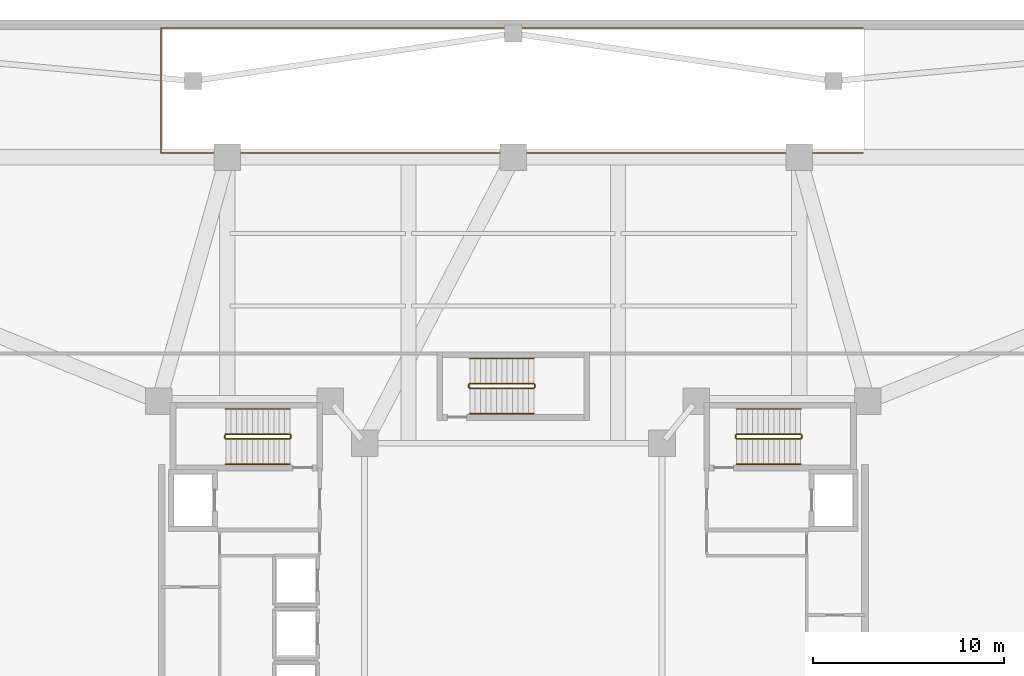
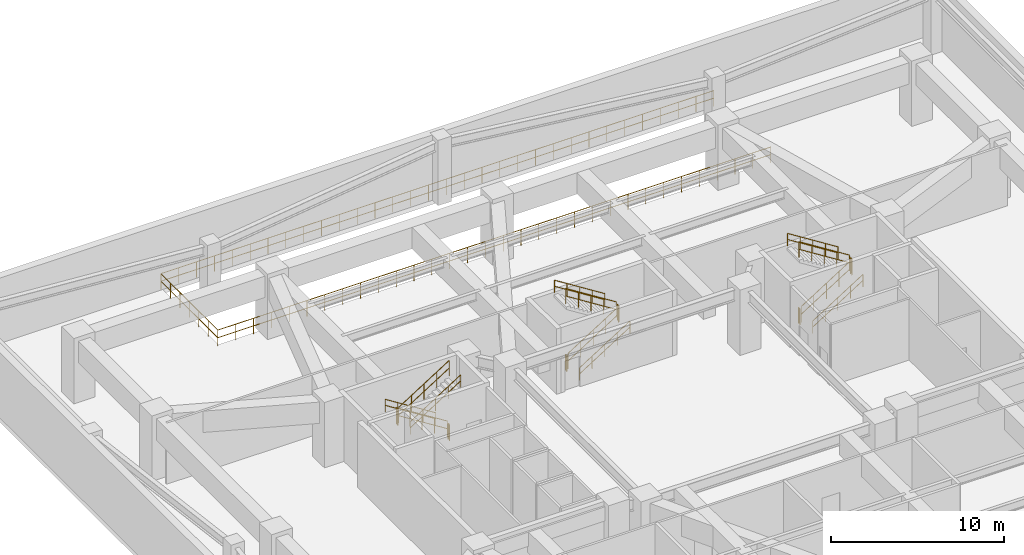
# One storey, part 8 of 8: 19 railings.
"""IFC4 building model written with IfcOpenShell, lengths in metres."""

from ifc_helpers import new_model, si_unit, direction, frame, origin, origin_2d, place, context, subcontext, project, spatial, circle, extrude, material, type_object, element, save


model = new_model("IFC4")

# Units and contexts
model_context = context("Model", 3, precision=1e-05, world=origin(), true_north=direction((0.0, 1.0)))
body_context = subcontext(model_context, "Body", "Model", "MODEL_VIEW")
ifc_project = project(units=[si_unit("LENGTHUNIT", "METRE"), si_unit("AREAUNIT", "SQUARE_METRE"), si_unit("VOLUMEUNIT", "CUBIC_METRE"), si_unit("PLANEANGLEUNIT", "RADIAN"), si_unit("MASSUNIT", "GRAM", prefix="KILO")], contexts=[model_context])

# Site, building, storey
site_placement = place(None, origin())
site = spatial("IfcSite", under=ifc_project, at=site_placement, CompositionType="ELEMENT")
building_placement = place(site_placement, origin())
building = spatial("IfcBuilding", under=site, at=building_placement, Name="Tarnavaz Court Tower", CompositionType="ELEMENT")
storey_placement = place(building_placement, frame((0.0, 0.0, -4.60009765625)))
storey = spatial("IfcBuildingStorey", under=building, at=storey_placement, Name="B01", CompositionType="ELEMENT", Elevation=-4.60009765625)

# Railings
ifc_material_1 = material(Name="Galvanized Powder-Coated Steel Guardrail", Category="steel")
railing_type_1 = type_object("IfcRailingType", Name="RL-DECK-1120", PredefinedType="GUARDRAIL", material=ifc_material_1)
railing_1_placement = place(storey_placement, frame((18.35009765625, 23.02001953125, 0.0)))
element("IfcRailing", 1, at=railing_1_placement, inside=storey, type_object=railing_type_1, Name="B01 Car Park Ramp Opening Safety Guardrail", PredefinedType="GUARDRAIL", context=body_context, shape_type="SweptSolid", body=[
    extrude(circle(Radius=0.02392578125, at=origin_2d()), frame((0.0, 0.0, 1.09619140625), z_axis=(-1.0, 0.0, 0.0), x_axis=(0.0, -1.0, 0.0)), (0.0, 0.0, 1.0), 36.830078125),
    extrude(circle(Radius=0.02392578125, at=origin_2d()), frame((0.0, 0.0, 0.56005859375), z_axis=(-1.0, 0.0, 0.0), x_axis=(0.0, -1.0, 0.0)), (0.0, 0.0, 1.0), 36.830078125),
    extrude(circle(Radius=0.02392578125, at=origin_2d()), frame((-36.830078125, 0.0, 1.09619140625), z_axis=(0.0, 1.0, 0.0), x_axis=(-1.0, 0.0, 0.0)), (0.0, 0.0, 1.0), 6.56005859375),
    extrude(circle(Radius=0.02392578125, at=origin_2d()), frame((-36.830078125, 0.0, 0.56005859375), z_axis=(0.0, 1.0, 0.0), x_axis=(-1.0, 0.0, 0.0)), (0.0, 0.0, 1.0), 6.56005859375),
    extrude(circle(Radius=0.02392578125, at=origin_2d()), frame((-36.830078125, 6.56005859375, 1.09619140625), z_axis=(1.0, 0.0, 0.0), x_axis=(0.0, 1.0, 0.0)), (0.0, 0.0, 1.0), 36.830078125),
    extrude(circle(Radius=0.02392578125, at=origin_2d()), frame((-36.830078125, 6.56005859375, 0.56005859375), z_axis=(1.0, 0.0, 0.0), x_axis=(0.0, 1.0, 0.0)), (0.0, 0.0, 1.0), 36.830078125),
    extrude(circle(Radius=0.02099609375, at=origin_2d()), origin(), (0.0, 0.0, 1.0), 1.072021484375),
    extrude(circle(Radius=0.02099609375, at=origin_2d()), frame((-1.18798828125, 0.0, 0.0)), (0.0, 0.0, 1.0), 1.072021484375),
    extrude(circle(Radius=0.02099609375, at=origin_2d()), frame((-2.376220703125, 0.0, 0.0)), (0.0, 0.0, 1.0), 1.072021484375),
    extrude(circle(Radius=0.02099609375, at=origin_2d()), frame((-3.564208984375, 0.0, 0.0)), (0.0, 0.0, 1.0), 1.072021484375),
    extrude(circle(Radius=0.02099609375, at=origin_2d()), frame((-4.752197265625, 0.0, 0.0)), (0.0, 0.0, 1.0), 1.072021484375),
    extrude(circle(Radius=0.02099609375, at=origin_2d()), frame((-5.9404296875, 0.0, 0.0)), (0.0, 0.0, 1.0), 1.072021484375),
    extrude(circle(Radius=0.02099609375, at=origin_2d()), frame((-7.12841796875, 0.0, 0.0)), (0.0, 0.0, 1.0), 1.072021484375),
    extrude(circle(Radius=0.02099609375, at=origin_2d()), frame((-8.31640625, 0.0, 0.0)), (0.0, 0.0, 1.0), 1.072021484375),
    extrude(circle(Radius=0.02099609375, at=origin_2d()), frame((-9.504638671875, 0.0, 0.0)), (0.0, 0.0, 1.0), 1.072021484375),
    extrude(circle(Radius=0.02099609375, at=origin_2d()), frame((-10.692626953125, 0.0, 0.0)), (0.0, 0.0, 1.0), 1.072021484375),
    extrude(circle(Radius=0.02099609375, at=origin_2d()), frame((-11.880615234375, 0.0, 0.0)), (0.0, 0.0, 1.0), 1.072021484375),
    extrude(circle(Radius=0.02099609375, at=origin_2d()), frame((-13.06884765625, 0.0, 0.0)), (0.0, 0.0, 1.0), 1.072021484375),
    extrude(circle(Radius=0.02099609375, at=origin_2d()), frame((-14.2568359375, 0.0, 0.0)), (0.0, 0.0, 1.0), 1.072021484375),
    extrude(circle(Radius=0.02099609375, at=origin_2d()), frame((-15.44482421875, 0.0, 0.0)), (0.0, 0.0, 1.0), 1.072021484375),
    extrude(circle(Radius=0.02099609375, at=origin_2d()), frame((-16.633056640625, 0.0, 0.0)), (0.0, 0.0, 1.0), 1.072021484375),
    extrude(circle(Radius=0.02099609375, at=origin_2d()), frame((-17.821044921875, 0.0, 0.0)), (0.0, 0.0, 1.0), 1.072021484375),
    extrude(circle(Radius=0.02099609375, at=origin_2d()), frame((-19.009033203125, 0.0, 0.0)), (0.0, 0.0, 1.0), 1.072021484375),
    extrude(circle(Radius=0.02099609375, at=origin_2d()), frame((-20.197021484375, 0.0, 0.0)), (0.0, 0.0, 1.0), 1.072021484375),
    extrude(circle(Radius=0.02099609375, at=origin_2d()), frame((-21.38525390625, 0.0, 0.0)), (0.0, 0.0, 1.0), 1.072021484375),
    extrude(circle(Radius=0.02099609375, at=origin_2d()), frame((-22.5732421875, 0.0, 0.0)), (0.0, 0.0, 1.0), 1.072021484375),
    extrude(circle(Radius=0.02099609375, at=origin_2d()), frame((-23.76123046875, 0.0, 0.0)), (0.0, 0.0, 1.0), 1.072021484375),
    extrude(circle(Radius=0.02099609375, at=origin_2d()), frame((-24.949462890625, 0.0, 0.0)), (0.0, 0.0, 1.0), 1.072021484375),
    extrude(circle(Radius=0.02099609375, at=origin_2d()), frame((-26.137451171875, 0.0, 0.0)), (0.0, 0.0, 1.0), 1.072021484375),
    extrude(circle(Radius=0.02099609375, at=origin_2d()), frame((-27.325439453125, 0.0, 0.0)), (0.0, 0.0, 1.0), 1.072021484375),
    extrude(circle(Radius=0.02099609375, at=origin_2d()), frame((-28.513671875, 0.0, 0.0)), (0.0, 0.0, 1.0), 1.072021484375),
    extrude(circle(Radius=0.02099609375, at=origin_2d()), frame((-29.70166015625, 0.0, 0.0)), (0.0, 0.0, 1.0), 1.072021484375),
    extrude(circle(Radius=0.02099609375, at=origin_2d()), frame((-30.8896484375, 0.0, 0.0)), (0.0, 0.0, 1.0), 1.072021484375),
    extrude(circle(Radius=0.02099609375, at=origin_2d()), frame((-32.077880859375, 0.0, 0.0)), (0.0, 0.0, 1.0), 1.072021484375),
    extrude(circle(Radius=0.02099609375, at=origin_2d()), frame((-33.265869140625, 0.0, 0.0)), (0.0, 0.0, 1.0), 1.072021484375),
    extrude(circle(Radius=0.02099609375, at=origin_2d()), frame((-34.453857421875, 0.0, 0.0)), (0.0, 0.0, 1.0), 1.072021484375),
    extrude(circle(Radius=0.02099609375, at=origin_2d()), frame((-35.64208984375, 0.0, 0.0)), (0.0, 0.0, 1.0), 1.072021484375),
    extrude(circle(Radius=0.02099609375, at=origin_2d()), frame((-36.830078125, 0.0, 0.0)), (0.0, 0.0, 1.0), 1.072021484375),
    extrude(circle(Radius=0.02099609375, at=origin_2d()), frame((-36.830078125, 1.09326171875, 0.0)), (0.0, 0.0, 1.0), 1.072021484375),
    extrude(circle(Radius=0.02099609375, at=origin_2d()), frame((-36.830078125, 2.186767578125, 0.0)), (0.0, 0.0, 1.0), 1.072021484375),
    extrude(circle(Radius=0.02099609375, at=origin_2d()), frame((-36.830078125, 3.280029296875, 0.0)), (0.0, 0.0, 1.0), 1.072021484375),
    extrude(circle(Radius=0.02099609375, at=origin_2d()), frame((-36.830078125, 4.373291015625, 0.0)), (0.0, 0.0, 1.0), 1.072021484375),
    extrude(circle(Radius=0.02099609375, at=origin_2d()), frame((-36.830078125, 5.466796875, 0.0)), (0.0, 0.0, 1.0), 1.072021484375),
    extrude(circle(Radius=0.02099609375, at=origin_2d()), frame((-36.830078125, 6.56005859375, 0.0)), (0.0, 0.0, 1.0), 1.072021484375),
    extrude(circle(Radius=0.02099609375, at=origin_2d()), frame((-35.64208984375, 6.56005859375, 0.0)), (0.0, 0.0, 1.0), 1.072021484375),
    extrude(circle(Radius=0.02099609375, at=origin_2d()), frame((-34.453857421875, 6.56005859375, 0.0)), (0.0, 0.0, 1.0), 1.072021484375),
    extrude(circle(Radius=0.02099609375, at=origin_2d()), frame((-33.265869140625, 6.56005859375, 0.0)), (0.0, 0.0, 1.0), 1.072021484375),
    extrude(circle(Radius=0.02099609375, at=origin_2d()), frame((-32.077880859375, 6.56005859375, 0.0)), (0.0, 0.0, 1.0), 1.072021484375),
    extrude(circle(Radius=0.02099609375, at=origin_2d()), frame((-30.8896484375, 6.56005859375, 0.0)), (0.0, 0.0, 1.0), 1.072021484375),
    extrude(circle(Radius=0.02099609375, at=origin_2d()), frame((-29.70166015625, 6.56005859375, 0.0)), (0.0, 0.0, 1.0), 1.072021484375),
    extrude(circle(Radius=0.02099609375, at=origin_2d()), frame((-28.513671875, 6.56005859375, 0.0)), (0.0, 0.0, 1.0), 1.072021484375),
    extrude(circle(Radius=0.02099609375, at=origin_2d()), frame((-27.325439453125, 6.56005859375, 0.0)), (0.0, 0.0, 1.0), 1.072021484375),
    extrude(circle(Radius=0.02099609375, at=origin_2d()), frame((-26.137451171875, 6.56005859375, 0.0)), (0.0, 0.0, 1.0), 1.072021484375),
    extrude(circle(Radius=0.02099609375, at=origin_2d()), frame((-24.949462890625, 6.56005859375, 0.0)), (0.0, 0.0, 1.0), 1.072021484375),
    extrude(circle(Radius=0.02099609375, at=origin_2d()), frame((-23.76123046875, 6.56005859375, 0.0)), (0.0, 0.0, 1.0), 1.072021484375),
    extrude(circle(Radius=0.02099609375, at=origin_2d()), frame((-22.5732421875, 6.56005859375, 0.0)), (0.0, 0.0, 1.0), 1.072021484375),
    extrude(circle(Radius=0.02099609375, at=origin_2d()), frame((-21.38525390625, 6.56005859375, 0.0)), (0.0, 0.0, 1.0), 1.072021484375),
    extrude(circle(Radius=0.02099609375, at=origin_2d()), frame((-20.197021484375, 6.56005859375, 0.0)), (0.0, 0.0, 1.0), 1.072021484375),
    extrude(circle(Radius=0.02099609375, at=origin_2d()), frame((-19.009033203125, 6.56005859375, 0.0)), (0.0, 0.0, 1.0), 1.072021484375),
    extrude(circle(Radius=0.02099609375, at=origin_2d()), frame((-17.821044921875, 6.56005859375, 0.0)), (0.0, 0.0, 1.0), 1.072021484375),
    extrude(circle(Radius=0.02099609375, at=origin_2d()), frame((-16.633056640625, 6.56005859375, 0.0)), (0.0, 0.0, 1.0), 1.072021484375),
    extrude(circle(Radius=0.02099609375, at=origin_2d()), frame((-15.44482421875, 6.56005859375, 0.0)), (0.0, 0.0, 1.0), 1.072021484375),
    extrude(circle(Radius=0.02099609375, at=origin_2d()), frame((-14.2568359375, 6.56005859375, 0.0)), (0.0, 0.0, 1.0), 1.072021484375),
    extrude(circle(Radius=0.02099609375, at=origin_2d()), frame((-13.06884765625, 6.56005859375, 0.0)), (0.0, 0.0, 1.0), 1.072021484375),
    extrude(circle(Radius=0.02099609375, at=origin_2d()), frame((-11.880615234375, 6.56005859375, 0.0)), (0.0, 0.0, 1.0), 1.072021484375),
    extrude(circle(Radius=0.02099609375, at=origin_2d()), frame((-10.692626953125, 6.56005859375, 0.0)), (0.0, 0.0, 1.0), 1.072021484375),
    extrude(circle(Radius=0.02099609375, at=origin_2d()), frame((-9.504638671875, 6.56005859375, 0.0)), (0.0, 0.0, 1.0), 1.072021484375),
    extrude(circle(Radius=0.02099609375, at=origin_2d()), frame((-8.31640625, 6.56005859375, 0.0)), (0.0, 0.0, 1.0), 1.072021484375),
    extrude(circle(Radius=0.02099609375, at=origin_2d()), frame((-7.12841796875, 6.56005859375, 0.0)), (0.0, 0.0, 1.0), 1.072021484375),
    extrude(circle(Radius=0.02099609375, at=origin_2d()), frame((-5.9404296875, 6.56005859375, 0.0)), (0.0, 0.0, 1.0), 1.072021484375),
    extrude(circle(Radius=0.02099609375, at=origin_2d()), frame((-4.752197265625, 6.56005859375, 0.0)), (0.0, 0.0, 1.0), 1.072021484375),
    extrude(circle(Radius=0.02099609375, at=origin_2d()), frame((-3.564208984375, 6.56005859375, 0.0)), (0.0, 0.0, 1.0), 1.072021484375),
    extrude(circle(Radius=0.02099609375, at=origin_2d()), frame((-2.376220703125, 6.56005859375, 0.0)), (0.0, 0.0, 1.0), 1.072021484375),
    extrude(circle(Radius=0.02099609375, at=origin_2d()), frame((-1.18798828125, 6.56005859375, 0.0)), (0.0, 0.0, 1.0), 1.072021484375),
    extrude(circle(Radius=0.02099609375, at=origin_2d()), frame((0.0, 6.56005859375, 0.0)), (0.0, 0.0, 1.0), 1.072021484375),
])
ifc_material_2 = material(Name="Brushed Stainless Steel", Category="steel")
railing_type_2 = type_object("IfcRailingType", Name="RL-HANDRAIL-900", PredefinedType="HANDRAIL", material=ifc_material_2)
railing_2_placement = place(storey_placement, frame((-11.719970703125, 9.590087890625, 0.177001953125)))
element("IfcRailing", 2, at=railing_2_placement, inside=storey, type_object=railing_type_2, Name="B01 ST-W1 stair handrail 1", PredefinedType="HANDRAIL", context=body_context, shape_type="SweptSolid", body=[
    extrude(circle(Radius=0.02392578125, at=origin_2d()), frame((0.0, 0.0, 0.8759765625), z_axis=(-0.845389635667, 0.0, 0.534150132366), x_axis=(0.0, -1.0, 0.0)), (0.0, 0.0, 1.0), 3.974609375),
    extrude(circle(Radius=0.02392578125, at=origin_2d()), frame((0.0, 0.0, 0.449951171875), z_axis=(-0.845389635667, 0.0, 0.534150132366), x_axis=(0.0, -1.0, 0.0)), (0.0, 0.0, 1.0), 3.974609375),
    extrude(circle(Radius=0.02099609375, at=origin_2d()), origin(), (0.0, 0.0, 1.0), 0.851806640625),
    extrude(circle(Radius=0.02099609375, at=origin_2d()), frame((-0.840087890625, 0.0, 0.53076171875)), (0.0, 0.0, 1.0), 0.851806640625),
    extrude(circle(Radius=0.02099609375, at=origin_2d()), frame((-1.68017578125, 0.0, 1.0615234375)), (0.0, 0.0, 1.0), 0.851806640625),
    extrude(circle(Radius=0.02099609375, at=origin_2d()), frame((-2.52001953125, 0.0, 1.59228515625)), (0.0, 0.0, 1.0), 0.851806640625),
    extrude(circle(Radius=0.02099609375, at=origin_2d()), frame((-3.360107421875, 0.0, 2.123046875)), (0.0, 0.0, 1.0), 0.851806640625),
])
for number, where, name in (
    (3, (-15.080078125, 6.699951171875, 2.47705078125), "B01 ST-W1 stair handrail 2"),
    (4, (11.719970703125, 6.699951171875, 0.177001953125), "B01 ST-E1 stair handrail 1"),
):
    element("IfcRailing", number, at=place(storey_placement, frame(where)), inside=storey, type_object=railing_type_2, Name=name, PredefinedType="HANDRAIL", context=body_context, shape_type="SweptSolid", body=[
        extrude(circle(Radius=0.02392578125, at=origin_2d()), frame((0.0, 0.0, 0.8759765625), z_axis=(0.845389635667, 0.0, 0.534150132366), x_axis=(0.0, 1.0, 0.0)), (0.0, 0.0, 1.0), 3.974609375),
        extrude(circle(Radius=0.02392578125, at=origin_2d()), frame((0.0, 0.0, 0.449951171875), z_axis=(0.845389635667, 0.0, 0.534150132366), x_axis=(0.0, 1.0, 0.0)), (0.0, 0.0, 1.0), 3.974609375),
        extrude(circle(Radius=0.02099609375, at=origin_2d()), origin(), (0.0, 0.0, 1.0), 0.851806640625),
        extrude(circle(Radius=0.02099609375, at=origin_2d()), frame((0.840087890625, 0.0, 0.53076171875)), (0.0, 0.0, 1.0), 0.851806640625),
        extrude(circle(Radius=0.02099609375, at=origin_2d()), frame((1.68017578125, 0.0, 1.0615234375)), (0.0, 0.0, 1.0), 0.851806640625),
        extrude(circle(Radius=0.02099609375, at=origin_2d()), frame((2.52001953125, 0.0, 1.59228515625)), (0.0, 0.0, 1.0), 0.851806640625),
        extrude(circle(Radius=0.02099609375, at=origin_2d()), frame((3.360107421875, 0.0, 2.123046875)), (0.0, 0.0, 1.0), 0.851806640625),
    ])
railing_3_placement = place(storey_placement, frame((15.080078125, 9.590087890625, 2.47705078125)))
element("IfcRailing", 5, at=railing_3_placement, inside=storey, type_object=railing_type_2, Name="B01 ST-E1 stair handrail 2", PredefinedType="HANDRAIL", context=body_context, shape_type="SweptSolid", body=[
    extrude(circle(Radius=0.02392578125, at=origin_2d()), frame((0.0, 0.0, 0.8759765625), z_axis=(-0.845389635667, 0.0, 0.534150132366), x_axis=(0.0, -1.0, 0.0)), (0.0, 0.0, 1.0), 3.974609375),
    extrude(circle(Radius=0.02392578125, at=origin_2d()), frame((0.0, 0.0, 0.449951171875), z_axis=(-0.845389635667, 0.0, 0.534150132366), x_axis=(0.0, -1.0, 0.0)), (0.0, 0.0, 1.0), 3.974609375),
    extrude(circle(Radius=0.02099609375, at=origin_2d()), origin(), (0.0, 0.0, 1.0), 0.851806640625),
    extrude(circle(Radius=0.02099609375, at=origin_2d()), frame((-0.840087890625, 0.0, 0.53076171875)), (0.0, 0.0, 1.0), 0.851806640625),
    extrude(circle(Radius=0.02099609375, at=origin_2d()), frame((-1.68017578125, 0.0, 1.0615234375)), (0.0, 0.0, 1.0), 0.851806640625),
    extrude(circle(Radius=0.02099609375, at=origin_2d()), frame((-2.52001953125, 0.0, 1.59228515625)), (0.0, 0.0, 1.0), 0.851806640625),
    extrude(circle(Radius=0.02099609375, at=origin_2d()), frame((-3.360107421875, 0.0, 2.123046875)), (0.0, 0.0, 1.0), 0.851806640625),
])
railing_4_placement = place(storey_placement, frame((-2.280029296875, 9.35009765625, 0.177001953125)))
element("IfcRailing", 6, at=railing_4_placement, inside=storey, type_object=railing_type_2, Name="B01 ST-N1 stair handrail 1", PredefinedType="HANDRAIL", context=body_context, shape_type="SweptSolid", body=[
    extrude(circle(Radius=0.02392578125, at=origin_2d()), frame((0.0, 0.0, 0.8759765625), z_axis=(0.845389635667, 0.0, 0.534150132366), x_axis=(0.0, 1.0, 0.0)), (0.0, 0.0, 1.0), 3.974609375),
    extrude(circle(Radius=0.02392578125, at=origin_2d()), frame((0.0, 0.0, 0.449951171875), z_axis=(0.845389635667, 0.0, 0.534150132366), x_axis=(0.0, 1.0, 0.0)), (0.0, 0.0, 1.0), 3.974609375),
    extrude(circle(Radius=0.02099609375, at=origin_2d()), origin(), (0.0, 0.0, 1.0), 0.851806640625),
    extrude(circle(Radius=0.02099609375, at=origin_2d()), frame((0.840087890625, 0.0, 0.53076171875)), (0.0, 0.0, 1.0), 0.851806640625),
    extrude(circle(Radius=0.02099609375, at=origin_2d()), frame((1.68017578125, 0.0, 1.0615234375)), (0.0, 0.0, 1.0), 0.851806640625),
    extrude(circle(Radius=0.02099609375, at=origin_2d()), frame((2.52001953125, 0.0, 1.59228515625)), (0.0, 0.0, 1.0), 0.851806640625),
    extrude(circle(Radius=0.02099609375, at=origin_2d()), frame((3.360107421875, 0.0, 2.123046875)), (0.0, 0.0, 1.0), 0.851806640625),
])
railing_5_placement = place(storey_placement, frame((1.080078125, 12.239990234375, 2.47705078125)))
element("IfcRailing", 7, at=railing_5_placement, inside=storey, type_object=railing_type_2, Name="B01 ST-N1 stair handrail 2", PredefinedType="HANDRAIL", context=body_context, shape_type="SweptSolid", body=[
    extrude(circle(Radius=0.02392578125, at=origin_2d()), frame((0.0, 0.0, 0.8759765625), z_axis=(-0.845389635667, 0.0, 0.534150132366), x_axis=(0.0, -1.0, 0.0)), (0.0, 0.0, 1.0), 3.974609375),
    extrude(circle(Radius=0.02392578125, at=origin_2d()), frame((0.0, 0.0, 0.449951171875), z_axis=(-0.845389635667, 0.0, 0.534150132366), x_axis=(0.0, -1.0, 0.0)), (0.0, 0.0, 1.0), 3.974609375),
    extrude(circle(Radius=0.02099609375, at=origin_2d()), origin(), (0.0, 0.0, 1.0), 0.851806640625),
    extrude(circle(Radius=0.02099609375, at=origin_2d()), frame((-0.840087890625, 0.0, 0.53076171875)), (0.0, 0.0, 1.0), 0.851806640625),
    extrude(circle(Radius=0.02099609375, at=origin_2d()), frame((-1.68017578125, 0.0, 1.0615234375)), (0.0, 0.0, 1.0), 0.851806640625),
    extrude(circle(Radius=0.02099609375, at=origin_2d()), frame((-2.52001953125, 0.0, 1.59228515625)), (0.0, 0.0, 1.0), 0.851806640625),
    extrude(circle(Radius=0.02099609375, at=origin_2d()), frame((-3.360107421875, 0.0, 2.123046875)), (0.0, 0.0, 1.0), 0.851806640625),
])
ifc_material_3 = material(Name="Galvanized Painted Tubular Steel", Category="steel")
railing_type_3 = type_object("IfcRailingType", Name="RL-STGUARD-1120", PredefinedType="GUARDRAIL", material=ifc_material_3)
railing_6_placement = place(storey_placement, frame((-11.719970703125, 8.27001953125, 0.177001953125)))
element("IfcRailing", 8, at=railing_6_placement, inside=storey, type_object=railing_type_3, Name="B01 ST-W1 stair guard 1", PredefinedType="GUARDRAIL", context=body_context, shape_type="SweptSolid", body=[
    extrude(circle(Radius=0.02392578125, at=origin_2d()), frame((0.0, 0.0, 1.09619140625), z_axis=(-0.845389635667, 0.0, 0.534150132366), x_axis=(0.0, -1.0, 0.0)), (0.0, 0.0, 1.0), 3.974609375),
    extrude(circle(Radius=0.02392578125, at=origin_2d()), frame((0.0, 0.0, 0.56005859375), z_axis=(-0.845389635667, 0.0, 0.534150132366), x_axis=(0.0, -1.0, 0.0)), (0.0, 0.0, 1.0), 3.974609375),
    extrude(circle(Radius=0.02099609375, at=origin_2d()), origin(), (0.0, 0.0, 1.0), 1.072021484375),
    extrude(circle(Radius=0.02099609375, at=origin_2d()), frame((-0.840087890625, 0.0, 0.53076171875)), (0.0, 0.0, 1.0), 1.072021484375),
    extrude(circle(Radius=0.02099609375, at=origin_2d()), frame((-1.68017578125, 0.0, 1.0615234375)), (0.0, 0.0, 1.0), 1.072021484375),
    extrude(circle(Radius=0.02099609375, at=origin_2d()), frame((-2.52001953125, 0.0, 1.59228515625)), (0.0, 0.0, 1.0), 1.072021484375),
    extrude(circle(Radius=0.02099609375, at=origin_2d()), frame((-3.360107421875, 0.0, 2.123046875)), (0.0, 0.0, 1.0), 1.072021484375),
])
railing_7_placement = place(storey_placement, frame((-15.1298828125, 8.219970703125, 2.300048828125)))
element("IfcRailing", 9, at=railing_7_placement, inside=storey, type_object=railing_type_3, Name="B01 ST-W1 stair guard 2", PredefinedType="GUARDRAIL", context=body_context, shape_type="SweptSolid", body=[
    extrude(circle(Radius=0.02392578125, at=origin_2d()), frame((0.0, 0.0, 1.09619140625), z_axis=(0.0, -1.0, 0.0), x_axis=(1.0, 0.0, 0.0)), (0.0, 0.0, 1.0), 0.14990234375),
    extrude(circle(Radius=0.02392578125, at=origin_2d()), frame((0.0, 0.0, 0.56005859375), z_axis=(0.0, -1.0, 0.0), x_axis=(1.0, 0.0, 0.0)), (0.0, 0.0, 1.0), 0.14990234375),
    extrude(circle(Radius=0.02099609375, at=origin_2d()), origin(), (0.0, 0.0, 1.0), 1.072021484375),
    extrude(circle(Radius=0.02099609375, at=origin_2d()), frame((0.0, -0.14990234375, 0.0)), (0.0, 0.0, 1.0), 1.072021484375),
])
railing_8_placement = place(storey_placement, frame((-15.080078125, 8.02001953125, 2.47705078125)))
element("IfcRailing", 10, at=railing_8_placement, inside=storey, type_object=railing_type_3, Name="B01 ST-W1 stair guard 3", PredefinedType="GUARDRAIL", context=body_context, shape_type="SweptSolid", body=[
    extrude(circle(Radius=0.02392578125, at=origin_2d()), frame((0.0, 0.0, 1.09619140625), z_axis=(0.845389635667, 0.0, 0.534150132366), x_axis=(0.0, 1.0, 0.0)), (0.0, 0.0, 1.0), 3.974609375),
    extrude(circle(Radius=0.02392578125, at=origin_2d()), frame((0.0, 0.0, 0.56005859375), z_axis=(0.845389635667, 0.0, 0.534150132366), x_axis=(0.0, 1.0, 0.0)), (0.0, 0.0, 1.0), 3.974609375),
    extrude(circle(Radius=0.02099609375, at=origin_2d()), origin(), (0.0, 0.0, 1.0), 1.072021484375),
    extrude(circle(Radius=0.02099609375, at=origin_2d()), frame((0.840087890625, 0.0, 0.53076171875)), (0.0, 0.0, 1.0), 1.072021484375),
    extrude(circle(Radius=0.02099609375, at=origin_2d()), frame((1.68017578125, 0.0, 1.0615234375)), (0.0, 0.0, 1.0), 1.072021484375),
    extrude(circle(Radius=0.02099609375, at=origin_2d()), frame((2.52001953125, 0.0, 1.59228515625)), (0.0, 0.0, 1.0), 1.072021484375),
    extrude(circle(Radius=0.02099609375, at=origin_2d()), frame((3.360107421875, 0.0, 2.123046875)), (0.0, 0.0, 1.0), 1.072021484375),
])
railing_9_placement = place(storey_placement, frame((-11.669921875, 8.219970703125, 0.0)))
element("IfcRailing", 11, at=railing_9_placement, inside=storey, type_object=railing_type_3, Name="B01 ST-W1 stair guard 4", PredefinedType="GUARDRAIL", context=body_context, shape_type="SweptSolid", body=[
    extrude(circle(Radius=0.02392578125, at=origin_2d()), frame((0.0, 0.0, 1.09619140625), z_axis=(0.0, -1.0, 0.0), x_axis=(1.0, 0.0, 0.0)), (0.0, 0.0, 1.0), 0.14990234375),
    extrude(circle(Radius=0.02392578125, at=origin_2d()), frame((0.0, 0.0, 0.56005859375), z_axis=(0.0, -1.0, 0.0), x_axis=(1.0, 0.0, 0.0)), (0.0, 0.0, 1.0), 0.14990234375),
    extrude(circle(Radius=0.02099609375, at=origin_2d()), origin(), (0.0, 0.0, 1.0), 1.072021484375),
    extrude(circle(Radius=0.02099609375, at=origin_2d()), frame((0.0, -0.14990234375, 0.0)), (0.0, 0.0, 1.0), 1.072021484375),
])
railing_10_placement = place(storey_placement, frame((11.719970703125, 8.02001953125, 0.177001953125)))
element("IfcRailing", 12, at=railing_10_placement, inside=storey, type_object=railing_type_3, Name="B01 ST-E1 stair guard 1", PredefinedType="GUARDRAIL", context=body_context, shape_type="SweptSolid", body=[
    extrude(circle(Radius=0.02392578125, at=origin_2d()), frame((0.0, 0.0, 1.09619140625), z_axis=(0.845389635667, 0.0, 0.534150132366), x_axis=(0.0, 1.0, 0.0)), (0.0, 0.0, 1.0), 3.974609375),
    extrude(circle(Radius=0.02392578125, at=origin_2d()), frame((0.0, 0.0, 0.56005859375), z_axis=(0.845389635667, 0.0, 0.534150132366), x_axis=(0.0, 1.0, 0.0)), (0.0, 0.0, 1.0), 3.974609375),
    extrude(circle(Radius=0.02099609375, at=origin_2d()), origin(), (0.0, 0.0, 1.0), 1.072021484375),
    extrude(circle(Radius=0.02099609375, at=origin_2d()), frame((0.840087890625, 0.0, 0.53076171875)), (0.0, 0.0, 1.0), 1.072021484375),
    extrude(circle(Radius=0.02099609375, at=origin_2d()), frame((1.68017578125, 0.0, 1.0615234375)), (0.0, 0.0, 1.0), 1.072021484375),
    extrude(circle(Radius=0.02099609375, at=origin_2d()), frame((2.52001953125, 0.0, 1.59228515625)), (0.0, 0.0, 1.0), 1.072021484375),
    extrude(circle(Radius=0.02099609375, at=origin_2d()), frame((3.360107421875, 0.0, 2.123046875)), (0.0, 0.0, 1.0), 1.072021484375),
])
railing_11_placement = place(storey_placement, frame((15.1298828125, 8.070068359375, 2.300048828125)))
element("IfcRailing", 13, at=railing_11_placement, inside=storey, type_object=railing_type_3, Name="B01 ST-E1 stair guard 2", PredefinedType="GUARDRAIL", context=body_context, shape_type="SweptSolid", body=[
    extrude(circle(Radius=0.02392578125, at=origin_2d()), frame((0.0, 0.0, 1.09619140625), z_axis=(0.0, 1.0, 0.0), x_axis=(-1.0, 0.0, 0.0)), (0.0, 0.0, 1.0), 0.14990234375),
    extrude(circle(Radius=0.02392578125, at=origin_2d()), frame((0.0, 0.0, 0.56005859375), z_axis=(0.0, 1.0, 0.0), x_axis=(-1.0, 0.0, 0.0)), (0.0, 0.0, 1.0), 0.14990234375),
    extrude(circle(Radius=0.02099609375, at=origin_2d()), origin(), (0.0, 0.0, 1.0), 1.072021484375),
    extrude(circle(Radius=0.02099609375, at=origin_2d()), frame((0.0, 0.14990234375, 0.0)), (0.0, 0.0, 1.0), 1.072021484375),
])
railing_12_placement = place(storey_placement, frame((15.080078125, 8.27001953125, 2.47705078125)))
element("IfcRailing", 14, at=railing_12_placement, inside=storey, type_object=railing_type_3, Name="B01 ST-E1 stair guard 3", PredefinedType="GUARDRAIL", context=body_context, shape_type="SweptSolid", body=[
    extrude(circle(Radius=0.02392578125, at=origin_2d()), frame((0.0, 0.0, 1.09619140625), z_axis=(-0.845389635667, 0.0, 0.534150132366), x_axis=(0.0, -1.0, 0.0)), (0.0, 0.0, 1.0), 3.974609375),
    extrude(circle(Radius=0.02392578125, at=origin_2d()), frame((0.0, 0.0, 0.56005859375), z_axis=(-0.845389635667, 0.0, 0.534150132366), x_axis=(0.0, -1.0, 0.0)), (0.0, 0.0, 1.0), 3.974609375),
    extrude(circle(Radius=0.02099609375, at=origin_2d()), origin(), (0.0, 0.0, 1.0), 1.072021484375),
    extrude(circle(Radius=0.02099609375, at=origin_2d()), frame((-0.840087890625, 0.0, 0.53076171875)), (0.0, 0.0, 1.0), 1.072021484375),
    extrude(circle(Radius=0.02099609375, at=origin_2d()), frame((-1.68017578125, 0.0, 1.0615234375)), (0.0, 0.0, 1.0), 1.072021484375),
    extrude(circle(Radius=0.02099609375, at=origin_2d()), frame((-2.52001953125, 0.0, 1.59228515625)), (0.0, 0.0, 1.0), 1.072021484375),
    extrude(circle(Radius=0.02099609375, at=origin_2d()), frame((-3.360107421875, 0.0, 2.123046875)), (0.0, 0.0, 1.0), 1.072021484375),
])
railing_13_placement = place(storey_placement, frame((11.669921875, 8.070068359375, 0.0)))
element("IfcRailing", 15, at=railing_13_placement, inside=storey, type_object=railing_type_3, Name="B01 ST-E1 stair guard 4", PredefinedType="GUARDRAIL", context=body_context, shape_type="SweptSolid", body=[
    extrude(circle(Radius=0.02392578125, at=origin_2d()), frame((0.0, 0.0, 1.09619140625), z_axis=(0.0, 1.0, 0.0), x_axis=(-1.0, 0.0, 0.0)), (0.0, 0.0, 1.0), 0.14990234375),
    extrude(circle(Radius=0.02392578125, at=origin_2d()), frame((0.0, 0.0, 0.56005859375), z_axis=(0.0, 1.0, 0.0), x_axis=(-1.0, 0.0, 0.0)), (0.0, 0.0, 1.0), 0.14990234375),
    extrude(circle(Radius=0.02099609375, at=origin_2d()), origin(), (0.0, 0.0, 1.0), 1.072021484375),
    extrude(circle(Radius=0.02099609375, at=origin_2d()), frame((0.0, 0.14990234375, 0.0)), (0.0, 0.0, 1.0), 1.072021484375),
])
railing_14_placement = place(storey_placement, frame((-2.280029296875, 10.669921875, 0.177001953125)))
element("IfcRailing", 16, at=railing_14_placement, inside=storey, type_object=railing_type_3, Name="B01 ST-N1 stair guard 1", PredefinedType="GUARDRAIL", context=body_context, shape_type="SweptSolid", body=[
    extrude(circle(Radius=0.02392578125, at=origin_2d()), frame((0.0, 0.0, 1.09619140625), z_axis=(0.845389635667, 0.0, 0.534150132366), x_axis=(0.0, 1.0, 0.0)), (0.0, 0.0, 1.0), 3.974609375),
    extrude(circle(Radius=0.02392578125, at=origin_2d()), frame((0.0, 0.0, 0.56005859375), z_axis=(0.845389635667, 0.0, 0.534150132366), x_axis=(0.0, 1.0, 0.0)), (0.0, 0.0, 1.0), 3.974609375),
    extrude(circle(Radius=0.02099609375, at=origin_2d()), origin(), (0.0, 0.0, 1.0), 1.072021484375),
    extrude(circle(Radius=0.02099609375, at=origin_2d()), frame((0.840087890625, 0.0, 0.53076171875)), (0.0, 0.0, 1.0), 1.072021484375),
    extrude(circle(Radius=0.02099609375, at=origin_2d()), frame((1.68017578125, 0.0, 1.0615234375)), (0.0, 0.0, 1.0), 1.072021484375),
    extrude(circle(Radius=0.02099609375, at=origin_2d()), frame((2.52001953125, 0.0, 1.59228515625)), (0.0, 0.0, 1.0), 1.072021484375),
    extrude(circle(Radius=0.02099609375, at=origin_2d()), frame((3.360107421875, 0.0, 2.123046875)), (0.0, 0.0, 1.0), 1.072021484375),
])
railing_15_placement = place(storey_placement, frame((1.1298828125, 10.719970703125, 2.300048828125)))
element("IfcRailing", 17, at=railing_15_placement, inside=storey, type_object=railing_type_3, Name="B01 ST-N1 stair guard 2", PredefinedType="GUARDRAIL", context=body_context, shape_type="SweptSolid", body=[
    extrude(circle(Radius=0.02392578125, at=origin_2d()), frame((0.0, 0.0, 1.09619140625), z_axis=(0.0, 1.0, 0.0), x_axis=(-1.0, 0.0, 0.0)), (0.0, 0.0, 1.0), 0.150146484375),
    extrude(circle(Radius=0.02392578125, at=origin_2d()), frame((0.0, 0.0, 0.56005859375), z_axis=(0.0, 1.0, 0.0), x_axis=(-1.0, 0.0, 0.0)), (0.0, 0.0, 1.0), 0.150146484375),
    extrude(circle(Radius=0.02099609375, at=origin_2d()), origin(), (0.0, 0.0, 1.0), 1.072021484375),
    extrude(circle(Radius=0.02099609375, at=origin_2d()), frame((0.0, 0.150146484375, 0.0)), (0.0, 0.0, 1.0), 1.072021484375),
])
railing_16_placement = place(storey_placement, frame((1.080078125, 10.919921875, 2.47705078125)))
element("IfcRailing", 18, at=railing_16_placement, inside=storey, type_object=railing_type_3, Name="B01 ST-N1 stair guard 3", PredefinedType="GUARDRAIL", context=body_context, shape_type="SweptSolid", body=[
    extrude(circle(Radius=0.02392578125, at=origin_2d()), frame((0.0, 0.0, 1.09619140625), z_axis=(-0.845389635667, 0.0, 0.534150132366), x_axis=(0.0, -1.0, 0.0)), (0.0, 0.0, 1.0), 3.974609375),
    extrude(circle(Radius=0.02392578125, at=origin_2d()), frame((0.0, 0.0, 0.56005859375), z_axis=(-0.845389635667, 0.0, 0.534150132366), x_axis=(0.0, -1.0, 0.0)), (0.0, 0.0, 1.0), 3.974609375),
    extrude(circle(Radius=0.02099609375, at=origin_2d()), origin(), (0.0, 0.0, 1.0), 1.072021484375),
    extrude(circle(Radius=0.02099609375, at=origin_2d()), frame((-0.840087890625, 0.0, 0.53076171875)), (0.0, 0.0, 1.0), 1.072021484375),
    extrude(circle(Radius=0.02099609375, at=origin_2d()), frame((-1.68017578125, 0.0, 1.0615234375)), (0.0, 0.0, 1.0), 1.072021484375),
    extrude(circle(Radius=0.02099609375, at=origin_2d()), frame((-2.52001953125, 0.0, 1.59228515625)), (0.0, 0.0, 1.0), 1.072021484375),
    extrude(circle(Radius=0.02099609375, at=origin_2d()), frame((-3.360107421875, 0.0, 2.123046875)), (0.0, 0.0, 1.0), 1.072021484375),
])
railing_17_placement = place(storey_placement, frame((-2.330078125, 10.719970703125, 0.0)))
element("IfcRailing", 19, at=railing_17_placement, inside=storey, type_object=railing_type_3, Name="B01 ST-N1 stair guard 4", PredefinedType="GUARDRAIL", context=body_context, shape_type="SweptSolid", body=[
    extrude(circle(Radius=0.02392578125, at=origin_2d()), frame((0.0, 0.0, 1.09619140625), z_axis=(0.0, 1.0, 0.0), x_axis=(-1.0, 0.0, 0.0)), (0.0, 0.0, 1.0), 0.150146484375),
    extrude(circle(Radius=0.02392578125, at=origin_2d()), frame((0.0, 0.0, 0.56005859375), z_axis=(0.0, 1.0, 0.0), x_axis=(-1.0, 0.0, 0.0)), (0.0, 0.0, 1.0), 0.150146484375),
    extrude(circle(Radius=0.02099609375, at=origin_2d()), origin(), (0.0, 0.0, 1.0), 1.072021484375),
    extrude(circle(Radius=0.02099609375, at=origin_2d()), frame((0.0, 0.150146484375, 0.0)), (0.0, 0.0, 1.0), 1.072021484375),
])

save(model, "model.ifc")
